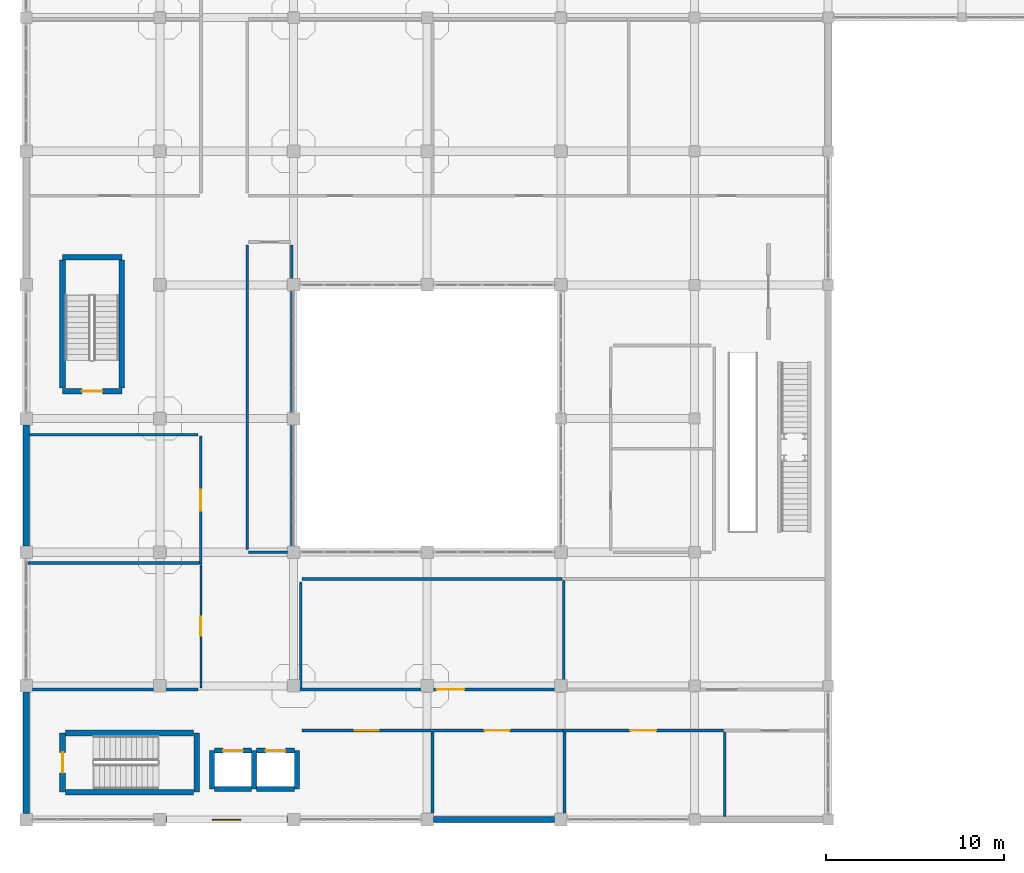
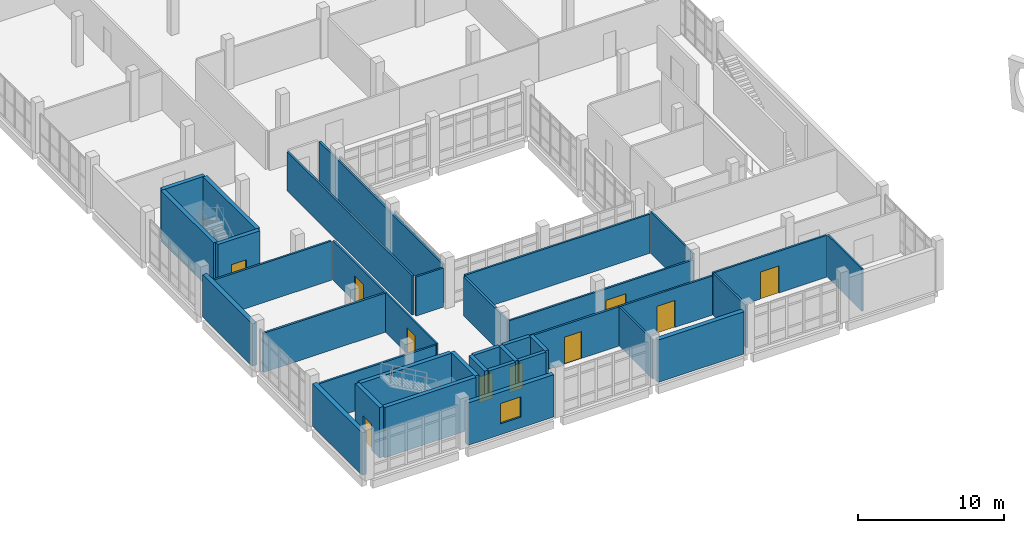
# One storey, part 138 of 164: 37 walls, 10 doors, 1 window, 11 openings.
"""IFC4 building model written with IfcOpenShell, lengths in metres."""

from ifc_helpers import new_model, si_unit, direction, frame, frame_2d, origin, place, context, subcontext, project, spatial, rectangle, extrude, material, layer, layer_set, type_object, element, fill, save


model = new_model("IFC4")

# Units and contexts
model_context = context("Model", 3, precision=1e-05, world=origin(), true_north=direction((0.0, 1.0)))
body_context = subcontext(model_context, "Body", "Model", "MODEL_VIEW")
ifc_project = project(units=[si_unit("LENGTHUNIT", "METRE"), si_unit("AREAUNIT", "SQUARE_METRE"), si_unit("VOLUMEUNIT", "CUBIC_METRE"), si_unit("PLANEANGLEUNIT", "RADIAN"), si_unit("MASSUNIT", "GRAM", prefix="KILO")], contexts=[model_context])

# Site, building, storey
site_placement = place(None, origin())
site = spatial("IfcSite", under=ifc_project, at=site_placement, CompositionType="ELEMENT")
building_placement = place(site_placement, origin())
building = spatial("IfcBuilding", under=site, at=building_placement, Name="Mawjan Specialist Oncology Clinic", CompositionType="ELEMENT")
storey_placement = place(building_placement, frame((0.0, 0.0, 5.0)))
storey = spatial("IfcBuildingStorey", under=building, at=storey_placement, Name="L01", CompositionType="ELEMENT", Elevation=5.0)

# Wall
ifc_material_1 = material(Name="Precast concrete C40/50", Category="concrete")
ifc_layer_1 = layer(ifc_material_1, 0.35009765625, Name="Precast concrete C40/50", Category="concrete")
ifc_layer_set_1 = layer_set([ifc_layer_1], Name="Precast concrete C40/50")
wall_type_1 = type_object("IfcWallType", Name="EW-350", PredefinedType="SOLIDWALL", material=ifc_layer_set_1)
wall_1_placement = place(storey_placement, frame((29.64990234375, 0.800048828125, 0.0), z_axis=(0.0, 0.0, 1.0), x_axis=(-1.0, 0.0, 0.0)))
element("IfcWall", 1, at=wall_1_placement, inside=storey, type_object=wall_type_1, Name="L01 Coral-Limestone Exterior Wall EW-L01-114", PredefinedType="SOLIDWALL", context=body_context, shape_type="SweptSolid", body=[
    extrude(rectangle(XDim=6.7998046875, YDim=0.35009765625, at=frame_2d((3.39990234375, 0.0))), origin(), (0.0, 0.0, 1.0), 3.534912109375),
])

# Wall, opening, window
wall_2_placement = place(storey_placement, frame((14.64990234375, 0.800048828125, 0.0), z_axis=(0.0, 0.0, 1.0), x_axis=(-1.0, 0.0, 0.0)))
wall_2 = element("IfcWall", 2, at=wall_2_placement, inside=storey, type_object=wall_type_1, Name="L01 Coral-Limestone Exterior Wall EW-L01-115", PredefinedType="SOLIDWALL", context=body_context, shape_type="SweptSolid", body=[
    extrude(rectangle(XDim=6.7998046875, YDim=0.35009765625, at=frame_2d((3.39990234375, 0.0))), origin(), (0.0, 0.0, 1.0), 3.534912109375),
])
opening_1_placement = place(wall_2_placement, frame((2.60009765625, 0.0, 0.89990234375)))
opening_1 = element("IfcOpeningElement", 3, at=opening_1_placement, cuts=wall_2, Name="Opening WN-19", PredefinedType="OPENING", context=body_context, shape_type="SweptSolid", body=[
    extrude(rectangle(XDim=1.60009765625, YDim=1.699951171875, at=frame_2d((0.800048828125, 0.85009765625))), frame((0.0, 0.18701171875, 0.0), z_axis=(0.0, -1.0, 0.0), x_axis=(1.0, 0.0, 0.0)), (0.0, 0.0, 1.0), 0.3740234375),
])
ifc_material_2 = material(Name="Thermally broken low-E clinical aluminium window", Category="aluminium")
window_type = type_object("IfcWindowType", Name="WN-19", PartitioningType="DOUBLE_PANEL_VERTICAL", PredefinedType="WINDOW", material=ifc_material_2)
window_placement = place(opening_1_placement, origin())
window = element("IfcWindow", 4, at=window_placement, inside=storey, type_object=window_type, Name="L01 Clinical Low-E Window 019", OverallHeight=1.699951171875, OverallWidth=1.60009765625, PartitioningType="DOUBLE_PANEL_VERTICAL", PredefinedType="WINDOW", context=body_context, shape_type="SweptSolid", body=[
    extrude(rectangle(XDim=1.60009765625, YDim=1.699951171875, at=frame_2d((0.800048828125, 0.85009765625))), frame((0.0, 0.030029296875, 0.0), z_axis=(0.0, -1.0, 0.0), x_axis=(1.0, 0.0, 0.0)), (0.0, 0.0, 1.0), 0.06005859375),
])
fill(opening_1, window)

# Walls
for number, where, z_axis, x_axis, name in (
    (5, (0.0, 1.14990234375, 0.0), (0.0, 0.0, 1.0), (0.0, 1.0, 0.0), "L01 Coral-Limestone Exterior Wall EW-L01-116"),
    (6, (0.0, 16.14990234375, 0.0), (0.0, 0.0, 1.0), (0.0, 1.0, 0.0), "L01 Coral-Limestone Exterior Wall EW-L01-117"),
):
    element("IfcWall", number, at=place(storey_placement, frame(where, z_axis=z_axis, x_axis=x_axis)), inside=storey, type_object=wall_type_1, Name=name, PredefinedType="SOLIDWALL", context=body_context, shape_type="SweptSolid", body=[
        extrude(rectangle(XDim=6.800048828125, YDim=0.35009765625, at=frame_2d((3.39990234375, 0.0))), origin(), (0.0, 0.0, 1.0), 3.534912109375),
    ])
ifc_material_3 = material(Name="Concrete C45/55", Category="concrete")
ifc_layer_2 = layer(ifc_material_3, 0.280029296875, Name="Concrete C45/55", Category="concrete")
ifc_layer_set_2 = layer_set([ifc_layer_2], Name="Concrete C45/55")
wall_type_2 = type_object("IfcWallType", Name="SW-300", PredefinedType="SHEAR", material=ifc_layer_set_2)
wall_3_placement = place(storey_placement, frame((10.5615234375, 2.529296875, 0.0), z_axis=(0.0, 0.0, 1.0), x_axis=(1.0, 0.0, 0.0)))
element("IfcWall", 7, at=wall_3_placement, inside=storey, type_object=wall_type_2, Name="L01 LF-03 Hoistway Wall 1", PredefinedType="SHEAR", context=body_context, shape_type="SweptSolid", body=[
    extrude(rectangle(XDim=2.076904296875, YDim=0.280029296875, at=frame_2d((1.03857421875, 0.0))), origin(), (0.0, 0.0, 1.0), 4.199951171875),
])
wall_4_placement = place(storey_placement, frame((12.783447265625, 2.529296875, 0.0), z_axis=(0.0, 0.0, 1.0), x_axis=(0.0, 1.0, 0.0)))
element("IfcWall", 8, at=wall_4_placement, inside=storey, type_object=wall_type_2, Name="L01 LF-03 Hoistway Wall 2", PredefinedType="SHEAR", context=body_context, shape_type="SweptSolid", body=[
    extrude(rectangle(XDim=2.141357421875, YDim=0.280029296875, at=frame_2d((1.07080078125, 0.0))), origin(), (0.0, 0.0, 1.0), 4.199951171875),
])

# Wall, opening, door
wall_5_placement = place(storey_placement, frame((12.638427734375, 4.670654296875, 0.0), z_axis=(0.0, 0.0, 1.0), x_axis=(-1.0, 0.0, 0.0)))
wall_5 = element("IfcWall", 9, at=wall_5_placement, inside=storey, type_object=wall_type_2, Name="L01 LF-03 Hoistway Wall 3", PredefinedType="SHEAR", context=body_context, shape_type="SweptSolid", body=[
    extrude(rectangle(XDim=2.076904296875, YDim=0.280029296875, at=frame_2d((1.03857421875, 0.0))), origin(), (0.0, 0.0, 1.0), 4.199951171875),
])
opening_2_placement = place(wall_5_placement, frame((0.488525390625, 0.0, 0.0)))
opening_2 = element("IfcOpeningElement", 10, at=opening_2_placement, cuts=wall_5, Name="Opening LD-03-L01", PredefinedType="OPENING", context=body_context, shape_type="SweptSolid", body=[
    extrude(rectangle(XDim=1.10009765625, YDim=2.14990234375, at=frame_2d((0.550048828125, 1.074951171875))), frame((0.0, 0.152099609375, 0.0), z_axis=(0.0, -1.0, 0.0), x_axis=(1.0, 0.0, 0.0)), (0.0, 0.0, 1.0), 0.303955078125),
])
ifc_material_4 = material(Name="Stainless-steel fire-rated hospital door", Category="steel")
door_type_1 = type_object("IfcDoorType", Name="LD-110", OperationType="SLIDING_TO_RIGHT", PredefinedType="DOOR", material=ifc_material_4)
door_1_placement = place(opening_2_placement, origin())
door_1 = element("IfcDoor", 11, at=door_1_placement, inside=storey, type_object=door_type_1, Name="L01 LF-03 Sliding Lift Landing Door", OperationType="SLIDING_TO_LEFT", OverallHeight=2.14990234375, OverallWidth=1.10009765625, PredefinedType="DOOR", context=body_context, shape_type="SweptSolid", body=[
    extrude(rectangle(XDim=1.10009765625, YDim=2.14990234375, at=frame_2d((0.550048828125, 1.074951171875))), frame((0.0, 0.02490234375, 0.0), z_axis=(0.0, -1.0, 0.0), x_axis=(1.0, 0.0, 0.0)), (0.0, 0.0, 1.0), 0.050048828125),
])
fill(opening_2, door_1)

# Walls
wall_6_placement = place(storey_placement, frame((10.41650390625, 4.670654296875, 0.0), z_axis=(0.0, 0.0, 1.0), x_axis=(0.0, -1.0, 0.0)))
element("IfcWall", 12, at=wall_6_placement, inside=storey, type_object=wall_type_2, Name="L01 LF-03 Hoistway Wall 4", PredefinedType="SHEAR", context=body_context, shape_type="SweptSolid", body=[
    extrude(rectangle(XDim=2.141357421875, YDim=0.280029296875, at=frame_2d((1.07080078125, 0.0))), origin(), (0.0, 0.0, 1.0), 4.199951171875),
])
wall_7_placement = place(storey_placement, frame((12.928466796875, 2.529296875, 0.0), z_axis=(0.0, 0.0, 1.0), x_axis=(1.0, 0.0, 0.0)))
element("IfcWall", 13, at=wall_7_placement, inside=storey, type_object=wall_type_2, Name="L01 LF-04 Hoistway Wall 1", PredefinedType="SHEAR", context=body_context, shape_type="SweptSolid", body=[
    extrude(rectangle(XDim=2.110107421875, YDim=0.280029296875, at=frame_2d((1.05517578125, 0.0))), origin(), (0.0, 0.0, 1.0), 4.199951171875),
])
wall_8_placement = place(storey_placement, frame((15.18359375, 2.529296875, 0.0), z_axis=(0.0, 0.0, 1.0), x_axis=(0.0, 1.0, 0.0)))
element("IfcWall", 14, at=wall_8_placement, inside=storey, type_object=wall_type_2, Name="L01 LF-04 Hoistway Wall 2", PredefinedType="SHEAR", context=body_context, shape_type="SweptSolid", body=[
    extrude(rectangle(XDim=2.141357421875, YDim=0.280029296875, at=frame_2d((1.07080078125, 0.0))), origin(), (0.0, 0.0, 1.0), 4.199951171875),
])

# Wall, opening, door
wall_9_placement = place(storey_placement, frame((15.03857421875, 4.670654296875, 0.0), z_axis=(0.0, 0.0, 1.0), x_axis=(-1.0, 0.0, 0.0)))
wall_9 = element("IfcWall", 15, at=wall_9_placement, inside=storey, type_object=wall_type_2, Name="L01 LF-04 Hoistway Wall 3", PredefinedType="SHEAR", context=body_context, shape_type="SweptSolid", body=[
    extrude(rectangle(XDim=2.110107421875, YDim=0.280029296875, at=frame_2d((1.05517578125, 0.0))), origin(), (0.0, 0.0, 1.0), 4.199951171875),
])
opening_3_placement = place(wall_9_placement, frame((0.5048828125, 0.0, 0.0)))
opening_3 = element("IfcOpeningElement", 16, at=opening_3_placement, cuts=wall_9, Name="Opening LD-04-L01", PredefinedType="OPENING", context=body_context, shape_type="SweptSolid", body=[
    extrude(rectangle(XDim=1.10009765625, YDim=2.14990234375, at=frame_2d((0.550048828125, 1.074951171875))), frame((0.0, 0.152099609375, 0.0), z_axis=(0.0, -1.0, 0.0), x_axis=(1.0, 0.0, 0.0)), (0.0, 0.0, 1.0), 0.303955078125),
])
door_2_placement = place(opening_3_placement, origin())
door_2 = element("IfcDoor", 17, at=door_2_placement, inside=storey, type_object=door_type_1, Name="L01 LF-04 Sliding Lift Landing Door", OperationType="SLIDING_TO_RIGHT", OverallHeight=2.14990234375, OverallWidth=1.10009765625, PredefinedType="DOOR", context=body_context, shape_type="SweptSolid", body=[
    extrude(rectangle(XDim=1.10009765625, YDim=2.14990234375, at=frame_2d((0.550048828125, 1.074951171875))), frame((0.0, 0.02490234375, 0.0), z_axis=(0.0, -1.0, 0.0), x_axis=(1.0, 0.0, 0.0)), (0.0, 0.0, 1.0), 0.050048828125),
])
fill(opening_3, door_2)

# Walls
ifc_material_5 = material(Name="Concrete C45/55", Category="concrete")
ifc_layer_3 = layer(ifc_material_5, 0.320068359375, Name="Concrete C45/55", Category="concrete")
ifc_layer_set_3 = layer_set([ifc_layer_3], Name="Concrete C45/55")
wall_type_3 = type_object("IfcWallType", Name="SW-350", PredefinedType="SHEAR", material=ifc_layer_set_3)
wall_10_placement = place(storey_placement, frame((2.205078125, 2.340087890625, 0.0), z_axis=(0.0, 0.0, 1.0), x_axis=(1.0, 0.0, 0.0)))
element("IfcWall", 18, at=wall_10_placement, inside=storey, type_object=wall_type_3, Name="L01 Core K1 Stair Shear Wall 1", PredefinedType="SHEAR", context=body_context, shape_type="SweptSolid", body=[
    extrude(rectangle(XDim=7.18994140625, YDim=0.320068359375, at=frame_2d((3.594970703125, 0.0))), origin(), (0.0, 0.0, 1.0), 4.199951171875),
])
wall_11_placement = place(storey_placement, frame((9.56005859375, 2.340087890625, 0.0), z_axis=(0.0, 0.0, 1.0), x_axis=(0.0, 1.0, 0.0)))
element("IfcWall", 19, at=wall_11_placement, inside=storey, type_object=wall_type_3, Name="L01 Core K1 Stair Shear Wall 2", PredefinedType="SHEAR", context=body_context, shape_type="SweptSolid", body=[
    extrude(rectangle(XDim=3.31982421875, YDim=0.320068359375, at=frame_2d((1.659912109375, 0.0))), origin(), (0.0, 0.0, 1.0), 4.199951171875),
])
wall_12_placement = place(storey_placement, frame((9.39501953125, 5.659912109375, 0.0), z_axis=(0.0, 0.0, 1.0), x_axis=(-1.0, 0.0, 0.0)))
element("IfcWall", 20, at=wall_12_placement, inside=storey, type_object=wall_type_3, Name="L01 Core K1 Stair Shear Wall 3", PredefinedType="SHEAR", context=body_context, shape_type="SweptSolid", body=[
    extrude(rectangle(XDim=7.18994140625, YDim=0.320068359375, at=frame_2d((3.594970703125, 0.0))), origin(), (0.0, 0.0, 1.0), 4.199951171875),
])

# Wall, opening, door
wall_13_placement = place(storey_placement, frame((2.0400390625, 5.659912109375, 0.0), z_axis=(0.0, 0.0, 1.0), x_axis=(0.0, -1.0, 0.0)))
wall_13 = element("IfcWall", 21, at=wall_13_placement, inside=storey, type_object=wall_type_3, Name="L01 Core K1 Stair Shear Wall 4", PredefinedType="SHEAR", context=body_context, shape_type="SweptSolid", body=[
    extrude(rectangle(XDim=3.31982421875, YDim=0.320068359375, at=frame_2d((1.659912109375, 0.0))), origin(), (0.0, 0.0, 1.0), 4.199951171875),
])
opening_4_placement = place(wall_13_placement, frame((1.0849609375, 0.0, 0.0)))
opening_4 = element("IfcOpeningElement", 22, at=opening_4_placement, cuts=wall_13, Name="Opening FD-90", PredefinedType="OPENING", context=body_context, shape_type="SweptSolid", body=[
    extrude(rectangle(XDim=1.14990234375, YDim=2.14990234375, at=frame_2d((0.574951171875, 1.074951171875))), frame((0.0, 0.172119140625, 0.0), z_axis=(0.0, -1.0, 0.0), x_axis=(1.0, 0.0, 0.0)), (0.0, 0.0, 1.0), 0.343994140625),
])
ifc_material_6 = material(Name="Stainless-steel fire-rated hospital door", Category="steel")
door_type_2 = type_object("IfcDoorType", Name="FD-90", OperationType="NOTDEFINED", PredefinedType="DOOR", material=ifc_material_6)
door_3_placement = place(opening_4_placement, origin())
door_3 = element("IfcDoor", 23, at=door_3_placement, inside=storey, type_object=door_type_2, Name="L01 ST-01 Fire Exit Stair Door", OperationType="SINGLE_SWING_RIGHT", OverallHeight=2.14990234375, OverallWidth=1.14990234375, PredefinedType="DOOR", context=body_context, shape_type="SweptSolid", body=[
    extrude(rectangle(XDim=1.14990234375, YDim=2.14990234375, at=frame_2d((0.574951171875, 1.074951171875))), frame((0.0, 0.02490234375, 0.0), z_axis=(0.0, -1.0, 0.0), x_axis=(1.0, 0.0, 0.0)), (0.0, 0.0, 1.0), 0.050048828125),
])
fill(opening_4, door_3)

# Walls
wall_14_placement = place(storey_placement, frame((5.360107421875, 25.0048828125, 0.0), z_axis=(0.0, 0.0, 1.0), x_axis=(0.0, 1.0, 0.0)))
element("IfcWall", 24, at=wall_14_placement, inside=storey, type_object=wall_type_3, Name="L01 Core K2 Stair Shear Wall 1", PredefinedType="SHEAR", context=body_context, shape_type="SweptSolid", body=[
    extrude(rectangle(XDim=7.190185546875, YDim=0.320068359375, at=frame_2d((3.59521484375, 0.0))), origin(), (0.0, 0.0, 1.0), 4.199951171875),
])
wall_15_placement = place(storey_placement, frame((5.360107421875, 32.360107421875, 0.0), z_axis=(0.0, 0.0, 1.0), x_axis=(-1.0, 0.0, 0.0)))
element("IfcWall", 25, at=wall_15_placement, inside=storey, type_object=wall_type_3, Name="L01 Core K2 Stair Shear Wall 2", PredefinedType="SHEAR", context=body_context, shape_type="SweptSolid", body=[
    extrude(rectangle(XDim=3.320068359375, YDim=0.320068359375, at=frame_2d((1.66015625, 0.0))), origin(), (0.0, 0.0, 1.0), 4.199951171875),
])
wall_16_placement = place(storey_placement, frame((2.0400390625, 32.195068359375, 0.0), z_axis=(0.0, 0.0, 1.0), x_axis=(0.0, -1.0, 0.0)))
element("IfcWall", 26, at=wall_16_placement, inside=storey, type_object=wall_type_3, Name="L01 Core K2 Stair Shear Wall 3", PredefinedType="SHEAR", context=body_context, shape_type="SweptSolid", body=[
    extrude(rectangle(XDim=7.190185546875, YDim=0.320068359375, at=frame_2d((3.59521484375, 0.0))), origin(), (0.0, 0.0, 1.0), 4.199951171875),
])

# Wall, opening, door
wall_17_placement = place(storey_placement, frame((2.0400390625, 24.840087890625, 0.0), z_axis=(0.0, 0.0, 1.0), x_axis=(1.0, 0.0, 0.0)))
wall_17 = element("IfcWall", 27, at=wall_17_placement, inside=storey, type_object=wall_type_3, Name="L01 Core K2 Stair Shear Wall 4", PredefinedType="SHEAR", context=body_context, shape_type="SweptSolid", body=[
    extrude(rectangle(XDim=3.320068359375, YDim=0.320068359375, at=frame_2d((1.66015625, 0.0))), origin(), (0.0, 0.0, 1.0), 4.199951171875),
])
opening_5_placement = place(wall_17_placement, frame((1.0849609375, 0.0, 0.0)))
opening_5 = element("IfcOpeningElement", 28, at=opening_5_placement, cuts=wall_17, Name="Opening FD-90", PredefinedType="OPENING", context=body_context, shape_type="SweptSolid", body=[
    extrude(rectangle(XDim=1.14990234375, YDim=2.14990234375, at=frame_2d((0.574951171875, 1.074951171875))), frame((0.0, 0.172119140625, 0.0), z_axis=(0.0, -1.0, 0.0), x_axis=(1.0, 0.0, 0.0)), (0.0, 0.0, 1.0), 0.343994140625),
])
door_4_placement = place(opening_5_placement, origin())
door_4 = element("IfcDoor", 29, at=door_4_placement, inside=storey, type_object=door_type_2, Name="L01 ST-02 Fire Exit Stair Door", OperationType="SINGLE_SWING_RIGHT", OverallHeight=2.14990234375, OverallWidth=1.14990234375, PredefinedType="DOOR", context=body_context, shape_type="SweptSolid", body=[
    extrude(rectangle(XDim=1.14990234375, YDim=2.14990234375, at=frame_2d((0.574951171875, 1.074951171875))), frame((0.0, 0.02490234375, 0.0), z_axis=(0.0, -1.0, 0.0), x_axis=(1.0, 0.0, 0.0)), (0.0, 0.0, 1.0), 0.050048828125),
])
fill(opening_5, door_4)

ifc_material_7 = material(Name="Moisture-resistant washroom partition", Category="gypsum")
ifc_layer_4 = layer(ifc_material_7, 0.125, Name="Moisture-resistant washroom partition", Category="gypsum")
ifc_layer_set_4 = layer_set([ifc_layer_4], Name="Moisture-resistant washroom partition")
wall_type_4 = type_object("IfcWallType", Name="WP-125", PredefinedType="PARTITIONING", material=ifc_layer_set_4)
wall_18_placement = place(storey_placement, frame((9.800048828125, 8.18505859375, 0.0), z_axis=(0.0, 0.0, 1.0), x_axis=(0.0, 1.0, 0.0)))
wall_18 = element("IfcWall", 30, at=wall_18_placement, inside=storey, type_object=wall_type_4, Name="L01 Interior Partition W-INT-L01-0131-V", PredefinedType="PARTITIONING", context=body_context, shape_type="SweptSolid", body=[
    extrude(rectangle(XDim=6.929931640625, YDim=0.125, at=frame_2d((3.46484375, 0.0))), origin(), (0.0, 0.0, 1.0), 3.264892578125),
])
opening_6_placement = place(wall_18_placement, frame((2.93994140625, 0.0, 0.0)))
opening_6 = element("IfcOpeningElement", 31, at=opening_6_placement, cuts=wall_18, Name="Opening DI-105", PredefinedType="OPENING", context=body_context, shape_type="SweptSolid", body=[
    extrude(rectangle(XDim=1.050048828125, YDim=2.14990234375, at=frame_2d((0.52490234375, 1.074951171875))), frame((0.0, 0.074462890625, 0.0), z_axis=(0.0, -1.0, 0.0), x_axis=(1.0, 0.0, 0.0)), (0.0, 0.0, 1.0), 0.14892578125),
])
ifc_material_8 = material(Name="Acoustic laminate hospital door leaf", Category="wood")
door_type_3 = type_object("IfcDoorType", Name="DI-105", OperationType="NOTDEFINED", PredefinedType="DOOR", material=ifc_material_8)
door_5_placement = place(opening_6_placement, origin())
door_5 = element("IfcDoor", 32, at=door_5_placement, inside=storey, type_object=door_type_3, Name="L01 Outpatient Consultation Room Door", OperationType="SINGLE_SWING_LEFT", OverallHeight=2.14990234375, OverallWidth=1.050048828125, PredefinedType="DOOR", context=body_context, shape_type="SweptSolid", body=[
    extrude(rectangle(XDim=1.050048828125, YDim=2.14990234375, at=frame_2d((0.52490234375, 1.074951171875))), frame((0.0, 0.02490234375, 0.0), z_axis=(0.0, -1.0, 0.0), x_axis=(1.0, 0.0, 0.0)), (0.0, 0.0, 1.0), 0.050048828125),
])
fill(opening_6, door_5)

# Walls
wall_19_placement = place(storey_placement, frame((39.199951171875, 0.987060546875, 0.0), z_axis=(0.0, 0.0, 1.0), x_axis=(0.0, 1.0, 0.0)))
element("IfcWall", 33, at=wall_19_placement, inside=storey, type_object=wall_type_4, Name="L01 Interior Partition W-INT-L01-103-D", PredefinedType="PARTITIONING", context=body_context, shape_type="SweptSolid", body=[
    extrude(rectangle(XDim=4.720947265625, YDim=0.125, at=frame_2d((2.3603515625, 0.0))), origin(), (0.0, 0.0, 1.0), 3.534912109375),
])
wall_20_placement = place(storey_placement, frame((30.159912109375, 8.431884765625, 0.0), z_axis=(0.0, 0.0, 1.0), x_axis=(0.0, 1.0, 0.0)))
element("IfcWall", 34, at=wall_20_placement, inside=storey, type_object=wall_type_4, Name="L01 Interior Partition W-INT-L01-0121-D", PredefinedType="PARTITIONING", context=body_context, shape_type="SweptSolid", body=[
    extrude(rectangle(XDim=5.776123046875, YDim=0.125, at=frame_2d((2.88818359375, 0.0))), origin(), (0.0, 0.0, 1.0), 3.485107421875),
])

# Wall, opening, door
ifc_material_9 = material(Name="Acoustic gypsum clinical partition", Category="gypsum")
ifc_layer_5 = layer(ifc_material_9, 0.14990234375, Name="Acoustic gypsum clinical partition", Category="gypsum")
ifc_layer_set_5 = layer_set([ifc_layer_5], Name="Acoustic gypsum clinical partition")
wall_type_5 = type_object("IfcWallType", Name="WP-150", PredefinedType="PARTITIONING", material=ifc_layer_set_5)
wall_21_placement = place(storey_placement, frame((22.72705078125, 5.800048828125, 0.0), z_axis=(0.0, 0.0, 1.0), x_axis=(1.0, 0.0, 0.0)))
wall_21 = element("IfcWall", 35, at=wall_21_placement, inside=storey, type_object=wall_type_5, Name="L01 Interior Partition W-INT-L01-102-C", PredefinedType="PARTITIONING", context=body_context, shape_type="SweptSolid", body=[
    extrude(rectangle(XDim=7.387939453125, YDim=0.14990234375, at=frame_2d((3.69384765625, 0.0))), origin(), (0.0, 0.0, 1.0), 3.264892578125),
])
opening_7_placement = place(wall_21_placement, frame((2.993896484375, 0.0, 0.0)))
opening_7 = element("IfcOpeningElement", 36, at=opening_7_placement, cuts=wall_21, Name="Opening DC-140", PredefinedType="OPENING", context=body_context, shape_type="SweptSolid", body=[
    extrude(rectangle(XDim=1.39990234375, YDim=2.25, at=frame_2d((0.699951171875, 1.125))), frame((0.0, 0.0869140625, 0.0), z_axis=(0.0, -1.0, 0.0), x_axis=(1.0, 0.0, 0.0)), (0.0, 0.0, 1.0), 0.173828125),
])
ifc_material_10 = material(Name="Acoustic laminate hospital door leaf", Category="wood")
door_type_4 = type_object("IfcDoorType", Name="DC-140", OperationType="NOTDEFINED", PredefinedType="DOOR", material=ifc_material_10)
door_6_placement = place(opening_7_placement, origin())
door_6 = element("IfcDoor", 37, at=door_6_placement, inside=storey, type_object=door_type_4, Name="L01 Retinal Diagnostic Clinic Door", OperationType="SINGLE_SWING_RIGHT", OverallHeight=2.25, OverallWidth=1.39990234375, PredefinedType="DOOR", context=body_context, shape_type="SweptSolid", body=[
    extrude(rectangle(XDim=1.39990234375, YDim=2.25, at=frame_2d((0.699951171875, 1.125))), frame((0.0, 0.02490234375, 0.0), z_axis=(0.0, -1.0, 0.0), x_axis=(1.0, 0.0, 0.0)), (0.0, 0.0, 1.0), 0.050048828125),
])
fill(opening_7, door_6)

wall_22_placement = place(storey_placement, frame((30.126953125, 5.800048828125, 0.0), z_axis=(0.0, 0.0, 1.0), x_axis=(1.0, 0.0, 0.0)))
wall_22 = element("IfcWall", 38, at=wall_22_placement, inside=storey, type_object=wall_type_5, Name="L01 Interior Partition W-INT-L01-103-C", PredefinedType="PARTITIONING", context=body_context, shape_type="SweptSolid", body=[
    extrude(rectangle(XDim=8.988037109375, YDim=0.14990234375, at=frame_2d((4.494140625, 0.0))), origin(), (0.0, 0.0, 1.0), 3.485107421875),
])
opening_8_placement = place(wall_22_placement, frame((3.76904296875, 0.0, 0.0)))
opening_8 = element("IfcOpeningElement", 39, at=opening_8_placement, cuts=wall_22, Name="Opening DC-145", PredefinedType="OPENING", context=body_context, shape_type="SweptSolid", body=[
    extrude(rectangle(XDim=1.449951171875, YDim=2.260009765625, at=frame_2d((0.72509765625, 1.1298828125))), frame((0.0, 0.0869140625, 0.0), z_axis=(0.0, -1.0, 0.0), x_axis=(1.0, 0.0, 0.0)), (0.0, 0.0, 1.0), 0.173828125),
])
ifc_material_11 = material(Name="Acoustic laminate hospital door leaf", Category="wood")
door_type_5 = type_object("IfcDoorType", Name="DC-145", OperationType="NOTDEFINED", PredefinedType="DOOR", material=ifc_material_11)
door_7_placement = place(opening_8_placement, origin())
door_7 = element("IfcDoor", 40, at=door_7_placement, inside=storey, type_object=door_type_5, Name="L01 Visual Field Testing Room Door", OperationType="SINGLE_SWING_LEFT", OverallHeight=2.260009765625, OverallWidth=1.449951171875, PredefinedType="DOOR", context=body_context, shape_type="SweptSolid", body=[
    extrude(rectangle(XDim=1.449951171875, YDim=2.260009765625, at=frame_2d((0.72509765625, 1.1298828125))), frame((0.0, 0.02490234375, 0.0), z_axis=(0.0, -1.0, 0.0), x_axis=(1.0, 0.0, 0.0)), (0.0, 0.0, 1.0), 0.050048828125),
])
fill(opening_8, door_7)

wall_23_placement = place(storey_placement, frame((15.362060546875, 8.10009765625, 0.0), z_axis=(0.0, 0.0, 1.0), x_axis=(1.0, 0.0, 0.0)))
wall_23 = element("IfcWall", 41, at=wall_23_placement, inside=storey, type_object=wall_type_5, Name="L01 Interior Partition W-INT-L01-0121-C", PredefinedType="PARTITIONING", context=body_context, shape_type="SweptSolid", body=[
    extrude(rectangle(XDim=14.5458984375, YDim=0.14990234375, at=frame_2d((7.27294921875, 0.0))), origin(), (0.0, 0.0, 1.0), 3.264892578125),
])
opening_9_placement = place(wall_23_placement, frame((7.66162109375, 0.0, 0.0)))
opening_9 = element("IfcOpeningElement", 42, at=opening_9_placement, cuts=wall_23, Name="Opening DC-156", PredefinedType="OPENING", context=body_context, shape_type="SweptSolid", body=[
    extrude(rectangle(XDim=1.56005859375, YDim=2.300048828125, at=frame_2d((0.780029296875, 1.14990234375))), frame((0.0, 0.0869140625, 0.0), z_axis=(0.0, -1.0, 0.0), x_axis=(1.0, 0.0, 0.0)), (0.0, 0.0, 1.0), 0.173828125),
])
ifc_material_12 = material(Name="Acoustic laminate hospital door leaf", Category="wood")
door_type_6 = type_object("IfcDoorType", Name="DC-156", OperationType="NOTDEFINED", PredefinedType="DOOR", material=ifc_material_12)
door_8_placement = place(opening_9_placement, origin())
door_8 = element("IfcDoor", 43, at=door_8_placement, inside=storey, type_object=door_type_6, Name="L01 Specialist Diagnostic Exam Room Door", OperationType="SINGLE_SWING_LEFT", OverallHeight=2.300048828125, OverallWidth=1.56005859375, PredefinedType="DOOR", context=body_context, shape_type="SweptSolid", body=[
    extrude(rectangle(XDim=1.56005859375, YDim=2.300048828125, at=frame_2d((0.780029296875, 1.14990234375))), frame((0.0, 0.02490234375, 0.0), z_axis=(0.0, -1.0, 0.0), x_axis=(1.0, 0.0, 0.0)), (0.0, 0.0, 1.0), 0.050048828125),
])
fill(opening_9, door_8)

wall_24_placement = place(storey_placement, frame((9.800048828125, 15.126953125, 0.0), z_axis=(0.0, 0.0, 1.0), x_axis=(0.0, 1.0, 0.0)))
wall_24 = element("IfcWall", 44, at=wall_24_placement, inside=storey, type_object=wall_type_5, Name="L01 Interior Partition W-INT-L01-0132-V", PredefinedType="PARTITIONING", context=body_context, shape_type="SweptSolid", body=[
    extrude(rectangle(XDim=7.18798828125, YDim=0.14990234375, at=frame_2d((3.593994140625, 0.0))), origin(), (0.0, 0.0, 1.0), 3.264892578125),
])
opening_10_placement = place(wall_24_placement, frame((2.993896484375, 0.0, 0.0)))
opening_10 = element("IfcOpeningElement", 45, at=opening_10_placement, cuts=wall_24, Name="Opening DC-120", PredefinedType="OPENING", context=body_context, shape_type="SweptSolid", body=[
    extrude(rectangle(XDim=1.199951171875, YDim=2.14990234375, at=frame_2d((0.60009765625, 1.074951171875))), frame((0.0, 0.0869140625, 0.0), z_axis=(0.0, -1.0, 0.0), x_axis=(1.0, 0.0, 0.0)), (0.0, 0.0, 1.0), 0.173828125),
])
ifc_material_13 = material(Name="Acoustic laminate hospital door leaf", Category="wood")
door_type_7 = type_object("IfcDoorType", Name="DC-120", OperationType="NOTDEFINED", PredefinedType="DOOR", material=ifc_material_13)
door_9_placement = place(opening_10_placement, origin())
door_9 = element("IfcDoor", 46, at=door_9_placement, inside=storey, type_object=door_type_7, Name="L01 Clinical Assessment Suite Door", OperationType="SINGLE_SWING_RIGHT", OverallHeight=2.14990234375, OverallWidth=1.199951171875, PredefinedType="DOOR", context=body_context, shape_type="SweptSolid", body=[
    extrude(rectangle(XDim=1.199951171875, YDim=2.14990234375, at=frame_2d((0.60009765625, 1.074951171875))), frame((0.0, 0.02490234375, 0.0), z_axis=(0.0, -1.0, 0.0), x_axis=(1.0, 0.0, 0.0)), (0.0, 0.0, 1.0), 0.050048828125),
])
fill(opening_10, door_9)

# Walls
wall_25_placement = place(storey_placement, frame((15.485107421875, 14.300048828125, 0.0), z_axis=(0.0, 0.0, 1.0), x_axis=(1.0, 0.0, 0.0)))
element("IfcWall", 47, at=wall_25_placement, inside=storey, type_object=wall_type_5, Name="L01 Interior Partition W-INT-L01-0121-R", PredefinedType="PARTITIONING", context=body_context, shape_type="SweptSolid", body=[
    extrude(rectangle(XDim=14.58984375, YDim=0.14990234375, at=frame_2d((7.294921875, 0.0))), origin(), (0.0, 0.0, 1.0), 3.264892578125),
])
wall_26_placement = place(storey_placement, frame((12.485107421875, 15.800048828125, 0.0), z_axis=(0.0, 0.0, 1.0), x_axis=(1.0, 0.0, 0.0)))
element("IfcWall", 48, at=wall_26_placement, inside=storey, type_object=wall_type_5, Name="L01 Interior Partition W-INT-L01-0141-R", PredefinedType="PARTITIONING", context=body_context, shape_type="SweptSolid", body=[
    extrude(rectangle(XDim=2.162841796875, YDim=0.14990234375, at=frame_2d((1.08154296875, 0.0))), origin(), (0.0, 0.0, 1.0), 3.264892578125),
])
wall_27_placement = place(storey_placement, frame((22.800048828125, 1.162109375, 0.0), z_axis=(0.0, 0.0, 1.0), x_axis=(0.0, 1.0, 0.0)))
element("IfcWall", 49, at=wall_27_placement, inside=storey, type_object=wall_type_5, Name="L01 Interior Partition W-INT-L01-101-D", PredefinedType="PARTITIONING", context=body_context, shape_type="SweptSolid", body=[
    extrude(rectangle(XDim=4.55078125, YDim=0.14990234375, at=frame_2d((2.275390625, 0.0))), origin(), (0.0, 0.0, 1.0), 3.264892578125),
])
wall_28_placement = place(storey_placement, frame((0.362060546875, 8.10009765625, 0.0), z_axis=(0.0, 0.0, 1.0), x_axis=(1.0, 0.0, 0.0)))
element("IfcWall", 50, at=wall_28_placement, inside=storey, type_object=wall_type_5, Name="L01 Interior Partition W-INT-L01-0131-H0", PredefinedType="PARTITIONING", context=body_context, shape_type="SweptSolid", body=[
    extrude(rectangle(XDim=9.27294921875, YDim=0.14990234375, at=frame_2d((4.636474609375, 0.0))), origin(), (0.0, 0.0, 1.0), 3.264892578125),
])
wall_29_placement = place(storey_placement, frame((0.18701171875, 22.39990234375, 0.0), z_axis=(0.0, 0.0, 1.0), x_axis=(1.0, 0.0, 0.0)))
element("IfcWall", 51, at=wall_29_placement, inside=storey, type_object=wall_type_5, Name="L01 Interior Partition W-INT-L01-0132-H", PredefinedType="PARTITIONING", context=body_context, shape_type="SweptSolid", body=[
    extrude(rectangle(XDim=9.447998046875, YDim=0.14990234375, at=frame_2d((4.72412109375, 0.0))), origin(), (0.0, 0.0, 1.0), 3.264892578125),
])
wall_30_placement = place(storey_placement, frame((12.39990234375, 15.965087890625, 0.0), z_axis=(0.0, 0.0, 1.0), x_axis=(0.0, 1.0, 0.0)))
element("IfcWall", 52, at=wall_30_placement, inside=storey, type_object=wall_type_5, Name="L01 Interior Partition W-INT-L01-0141-D0", PredefinedType="PARTITIONING", context=body_context, shape_type="SweptSolid", body=[
    extrude(rectangle(XDim=17.06982421875, YDim=0.14990234375, at=frame_2d((8.534912109375, 0.0))), origin(), (0.0, 0.0, 1.0), 3.264892578125),
])

# Wall, opening, door
ifc_material_14 = material(Name="Acoustic clinical twin-stud partition", Category="gypsum")
ifc_layer_6 = layer(ifc_material_14, 0.159912109375, Name="Acoustic clinical twin-stud partition", Category="gypsum")
ifc_layer_set_6 = layer_set([ifc_layer_6], Name="Acoustic clinical twin-stud partition")
wall_type_6 = type_object("IfcWallType", Name="WP-160", PredefinedType="PARTITIONING", material=ifc_layer_set_6)
wall_31_placement = place(storey_placement, frame((15.485107421875, 5.800048828125, 0.0), z_axis=(0.0, 0.0, 1.0), x_axis=(1.0, 0.0, 0.0)))
wall_31 = element("IfcWall", 53, at=wall_31_placement, inside=storey, type_object=wall_type_6, Name="L01 Interior Partition W-INT-L01-101-C", PredefinedType="PARTITIONING", context=body_context, shape_type="SweptSolid", body=[
    extrude(rectangle(XDim=7.22998046875, YDim=0.159912109375, at=frame_2d((3.614990234375, 0.0))), origin(), (0.0, 0.0, 1.0), 3.264892578125),
])
opening_11_placement = place(wall_31_placement, frame((2.945068359375, 0.0, 0.0)))
opening_11 = element("IfcOpeningElement", 54, at=opening_11_placement, cuts=wall_31, Name="Opening DC-134", PredefinedType="OPENING", context=body_context, shape_type="SweptSolid", body=[
    extrude(rectangle(XDim=1.340087890625, YDim=2.239990234375, at=frame_2d((0.669921875, 1.1201171875))), frame((0.0, 0.092041015625, 0.0), z_axis=(0.0, -1.0, 0.0), x_axis=(1.0, 0.0, 0.0)), (0.0, 0.0, 1.0), 0.183837890625),
])
ifc_material_15 = material(Name="Acoustic laminate hospital door leaf", Category="wood")
door_type_8 = type_object("IfcDoorType", Name="DC-134", OperationType="NOTDEFINED", PredefinedType="DOOR", material=ifc_material_15)
door_10_placement = place(opening_11_placement, origin())
door_10 = element("IfcDoor", 55, at=door_10_placement, inside=storey, type_object=door_type_8, Name="L01 Ophthalmology Laser Exam Suite Door", OperationType="SINGLE_SWING_LEFT", OverallHeight=2.239990234375, OverallWidth=1.340087890625, PredefinedType="DOOR", context=body_context, shape_type="SweptSolid", body=[
    extrude(rectangle(XDim=1.340087890625, YDim=2.239990234375, at=frame_2d((0.669921875, 1.1201171875))), frame((0.0, 0.02490234375, 0.0), z_axis=(0.0, -1.0, 0.0), x_axis=(1.0, 0.0, 0.0)), (0.0, 0.0, 1.0), 0.050048828125),
])
fill(opening_11, door_10)

# Walls
wall_32_placement = place(storey_placement, frame((30.199951171875, 1.162109375, 0.0), z_axis=(0.0, 0.0, 1.0), x_axis=(0.0, 1.0, 0.0)))
element("IfcWall", 56, at=wall_32_placement, inside=storey, type_object=wall_type_6, Name="L01 Interior Partition W-INT-L01-102-D", PredefinedType="PARTITIONING", context=body_context, shape_type="SweptSolid", body=[
    extrude(rectangle(XDim=4.55078125, YDim=0.159912109375, at=frame_2d((2.275390625, 0.0))), origin(), (0.0, 0.0, 1.0), 3.485107421875),
])
wall_33_placement = place(storey_placement, frame((15.39990234375, 8.18701171875, 0.0), z_axis=(0.0, 0.0, 1.0), x_axis=(0.0, 1.0, 0.0)))
element("IfcWall", 57, at=wall_33_placement, inside=storey, type_object=wall_type_6, Name="L01 Interior Partition W-INT-L01-0121-D0", PredefinedType="PARTITIONING", context=body_context, shape_type="SweptSolid", body=[
    extrude(rectangle(XDim=5.947998046875, YDim=0.159912109375, at=frame_2d((2.97412109375, 0.0))), origin(), (0.0, 0.0, 1.0), 3.264892578125),
])
wall_34_placement = place(storey_placement, frame((0.10205078125, 15.199951171875, 0.0), z_axis=(0.0, 0.0, 1.0), x_axis=(1.0, 0.0, 0.0)))
element("IfcWall", 58, at=wall_34_placement, inside=storey, type_object=wall_type_6, Name="L01 Interior Partition W-INT-L01-0131-H", PredefinedType="PARTITIONING", context=body_context, shape_type="SweptSolid", body=[
    extrude(rectangle(XDim=9.61083984375, YDim=0.159912109375, at=frame_2d((4.805419921875, 0.0))), origin(), (0.0, 0.0, 1.0), 3.264892578125),
])
wall_35_placement = place(storey_placement, frame((14.89990234375, 16.132080078125, 0.0), z_axis=(0.0, 0.0, 1.0), x_axis=(0.0, 1.0, 0.0)))
element("IfcWall", 59, at=wall_35_placement, inside=storey, type_object=wall_type_6, Name="L01 Interior Partition W-INT-L01-0141-D", PredefinedType="PARTITIONING", context=body_context, shape_type="SweptSolid", body=[
    extrude(rectangle(XDim=16.90283203125, YDim=0.159912109375, at=frame_2d((8.451416015625, 0.0))), origin(), (0.0, 0.0, 1.0), 3.264892578125),
])

save(model, "model.ifc")
